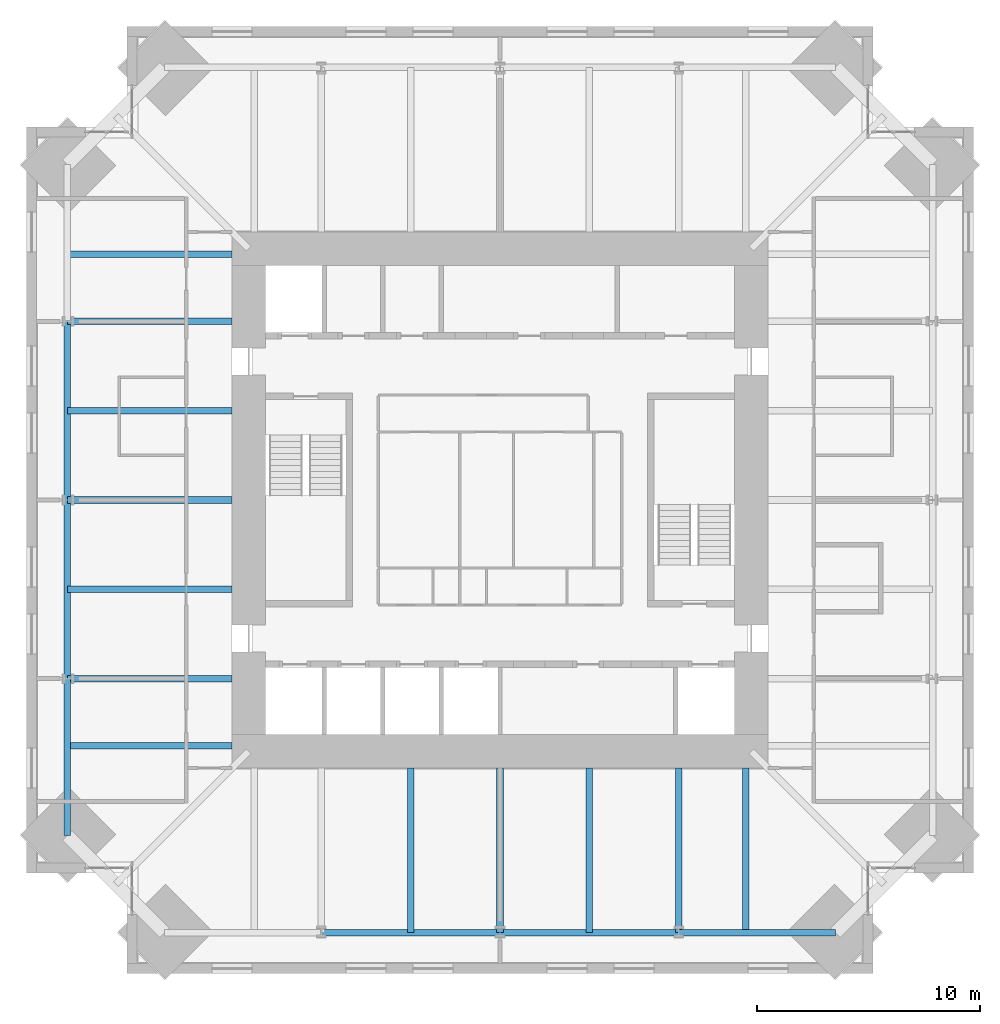
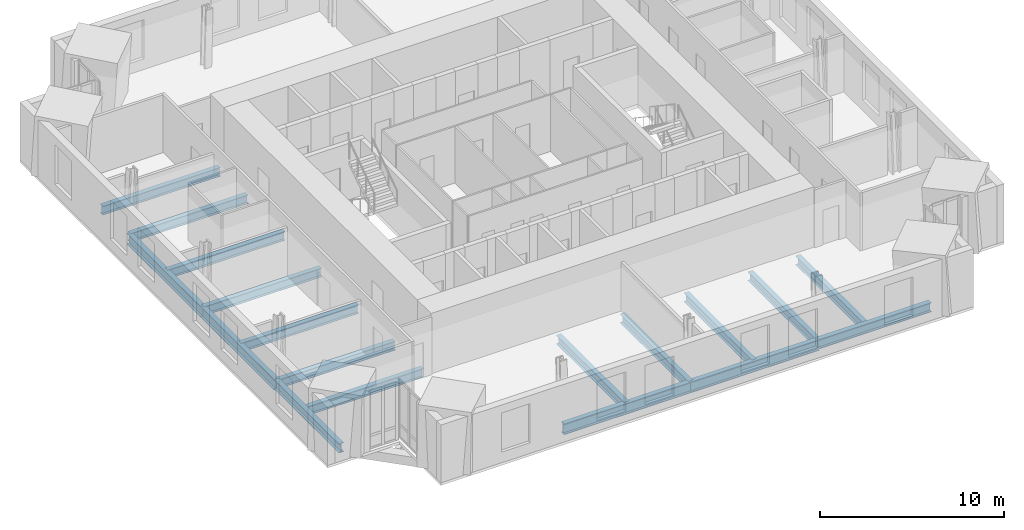
# One storey, part 3 of 15: 18 beams.
"""IFC4 building model written with IfcOpenShell, lengths in metres."""

import ifcopenshell
import ifcopenshell.guid

model = None  # the IFC model being written
_history = None  # IfcOwnerHistory: only IFC2X3 demands one
_inside = {}  # id of a spatial element -> (the spatial element, [elements in it])
_under = {}  # id of a project, library or spatial element -> (it, [spatial elements below it])
_declared = {}  # id of a project -> (the project, [libraries it declares])
_typed = {}  # id of a type object -> (the type object, [elements of that type])
_made_of = {}  # id of a material, layer set ... -> (it, [elements and type objects made of it])


def new_model(schema):
    """Start an empty IFC model of exactly this schema.

    Asked for "IFC4X3", IfcOpenShell would pick the latest addendum, in which some entities
    have other attributes; the version numbers below select the first issue.
    IFC2X3 requires an IfcOwnerHistory on every rooted entity: one is made here for all.
    """
    global model, _history
    if schema == "IFC4X3":
        model = ifcopenshell.file(schema_version=(4, 3, 0, 0))
    else:
        model = ifcopenshell.file(schema=schema)
    _inside.clear()
    _under.clear()
    _declared.clear()
    _typed.clear()
    _made_of.clear()
    _history = None
    if model.schema == "IFC2X3":
        org = make("IfcOrganization", Name="unknown")
        user = make(
            "IfcPersonAndOrganization",
            ThePerson=make("IfcPerson", FamilyName="unknown"),
            TheOrganization=org,
        )
        app = make(
            "IfcApplication",
            ApplicationDeveloper=org,
            Version="unknown",
            ApplicationFullName="unknown",
            ApplicationIdentifier="unknown",
        )
        _history = make(
            "IfcOwnerHistory",
            OwningUser=user,
            OwningApplication=app,
            ChangeAction="ADDED",
            CreationDate=0,
        )
    return model


def make(cls, **values):
    """One entity of the class cls with the attributes given. An attribute that is None is left unset."""
    return model.create_entity(
        cls, **{name: value for name, value in values.items() if value is not None}
    )


def rooted(cls, **values):
    """An entity with a GlobalId (a new one), such as an element, a storey or a relation."""
    return make(cls, GlobalId=ifcopenshell.guid.new(), OwnerHistory=_history, **values)


def si_unit(unit_type, name, prefix=None):
    """IfcSIUnit, for example si_unit("LENGTHUNIT", "METRE", prefix="MILLI")."""
    return make("IfcSIUnit", UnitType=unit_type, Prefix=prefix, Name=name)


def assignment(units):
    """IfcUnitAssignment: the units of a project."""
    return None if units is None else make("IfcUnitAssignment", Units=units)


def point(xyz):
    """IfcCartesianPoint."""
    return None if xyz is None else make("IfcCartesianPoint", Coordinates=xyz)


def direction(xyz):
    """IfcDirection."""
    return None if xyz is None else make("IfcDirection", DirectionRatios=xyz)


def frame(location, z_axis=None, x_axis=None):
    """IfcAxis2Placement3D, a coordinate frame: its origin and axes. An axis left out is left unset."""
    return make(
        "IfcAxis2Placement3D",
        Location=point(location),
        Axis=direction(z_axis),
        RefDirection=direction(x_axis),
    )


def frame_2d(location, x_axis=None):
    """IfcAxis2Placement2D, a coordinate frame in the plane: its origin and x axis."""
    return make(
        "IfcAxis2Placement2D", Location=point(location), RefDirection=direction(x_axis)
    )


def origin():
    """The frame at (0, 0, 0) with its axes left unset."""
    return frame((0.0, 0.0, 0.0))


def origin_2d():
    """The frame at (0, 0) in the plane with its x axis left unset."""
    return frame_2d((0.0, 0.0))


def place(relative_to, where):
    """IfcLocalPlacement: puts the frame where relative to a parent placement (None: the world)."""
    return make(
        "IfcLocalPlacement", PlacementRelTo=relative_to, RelativePlacement=where
    )


def context(
    kind, dimensions, precision=None, world=None, true_north=None, identifier=None
):
    """IfcGeometricRepresentationContext, for example the 3D "Model" context."""
    return make(
        "IfcGeometricRepresentationContext",
        ContextIdentifier=identifier,
        ContextType=kind,
        CoordinateSpaceDimension=dimensions,
        Precision=precision,
        WorldCoordinateSystem=world,
        TrueNorth=true_north,
    )


def subcontext(parent, identifier, kind, view, scale=None):
    """IfcGeometricRepresentationSubContext, for example "Body" below "Model"."""
    return make(
        "IfcGeometricRepresentationSubContext",
        ContextIdentifier=identifier,
        ContextType=kind,
        ParentContext=parent,
        TargetScale=scale,
        TargetView=view,
    )


def project(units=None, contexts=None):
    """IfcProject with its units and contexts."""
    return rooted(
        "IfcProject",
        Name="project",
        RepresentationContexts=contexts,
        UnitsInContext=assignment(units),
    )


def spatial(cls, under=None, at=None, **own):
    """A site, building, storey or space (cls), placed at a placement, below another one or the project."""
    s = rooted(cls, ObjectPlacement=at, **own)
    if under is not None:
        _under.setdefault(under.id(), (under, []))[1].append(s)
    return s


def profile(cls, at=None, kind="AREA", **sizes):
    """A parametric profile (cls). Its sizes go by their IFC names, for example OverallWidth=200.0."""
    return make(cls, ProfileType=kind, Position=at, **sizes)


def i_section(**sizes):
    """IfcIShapeProfileDef."""
    return profile("IfcIShapeProfileDef", **sizes)


def extrude(swept, where, along, depth):
    """IfcExtrudedAreaSolid: the profile swept, set in the frame where, extruded along a direction by depth."""
    return make(
        "IfcExtrudedAreaSolid",
        SweptArea=swept,
        Position=where,
        ExtrudedDirection=direction(along),
        Depth=depth,
    )


def shape(context_of_items, identifier, shape_type, items):
    """IfcShapeRepresentation: the items that make up one representation, for example the "Body"."""
    return make(
        "IfcShapeRepresentation",
        ContextOfItems=context_of_items,
        RepresentationIdentifier=identifier,
        RepresentationType=shape_type,
        Items=items,
    )


def material(Name=None, Category=None):
    """IfcMaterial."""
    return make("IfcMaterial", Name=Name, Category=Category)


def material_profile(
    of_material, cross_section, Name=None, Category=None, Priority=None
):
    """IfcMaterialProfile: a cross section and its material."""
    return make(
        "IfcMaterialProfile",
        Name=Name,
        Material=of_material,
        Profile=cross_section,
        Priority=Priority,
        Category=Category,
    )


def profile_set(profiles, Name=None, composite=None):
    """IfcMaterialProfileSet."""
    return make(
        "IfcMaterialProfileSet",
        Name=Name,
        MaterialProfiles=profiles,
        CompositeProfile=composite,
    )


def made_of(thing, what):
    """Note that an element or type object is made of a material, layer set ...; save() writes the relation."""
    if what is not None:
        _made_of.setdefault(what.id(), (what, []))[1].append(thing)
    return thing


def type_object(cls, material=None, **own):
    """A type object (cls), such as IfcWallType, which elements share."""
    return made_of(rooted(cls, **own), material)


def element(
    cls,
    number,
    at=None,
    inside=None,
    cuts=None,
    type_object=None,
    material=None,
    context=None,
    identifier="Body",
    shape_type=None,
    held_by="IfcProductDefinitionShape",
    body=None,
    shapes=None,
    **own,
):
    """One element of the class cls, such as IfcWall. Its Tag is "e" and its number.

    at: its placement. inside: the storey or other place that contains it. cuts: it is an
    opening in that element (IfcRelVoidsElement). A single representation is given by context,
    identifier, shape_type and body (its items); several are given by shapes. held_by: the class
    of the entity that holds the representations. save() writes the other relations.
    """
    e = rooted(cls, Tag="e%d" % number, ObjectPlacement=at, **own)
    if body is not None:
        shapes = [shape(context, identifier, shape_type, body)]
    if shapes is not None:
        e.Representation = make(held_by, Representations=shapes)
    if inside is not None:
        _inside.setdefault(inside.id(), (inside, []))[1].append(e)
    if cuts is not None:
        rooted(
            "IfcRelVoidsElement", RelatingBuildingElement=cuts, RelatedOpeningElement=e
        )
    if type_object is not None:
        _typed.setdefault(type_object.id(), (type_object, []))[1].append(e)
    return made_of(e, material)


def aggregate(whole, parts):
    """IfcRelAggregates: a whole, such as a stair, and the parts it consists of."""
    return rooted("IfcRelAggregates", RelatingObject=whole, RelatedObjects=parts)


def save(model, path):
    """Write the relations noted so far, then the file.

    IfcRelAggregates (storeys below a building ...), IfcRelContainedInSpatialStructure (elements
    in a storey), IfcRelDefinesByType, IfcRelAssociatesMaterial and IfcRelDeclares: one each for
    every whole, place, type object, material and project.
    """
    for whole, parts in _under.values():
        aggregate(whole, parts)
    for where, things in _inside.values():
        rooted(
            "IfcRelContainedInSpatialStructure",
            RelatedElements=things,
            RelatingStructure=where,
        )
    for kind, things in _typed.values():
        rooted("IfcRelDefinesByType", RelatedObjects=things, RelatingType=kind)
    for what, things in _made_of.values():
        rooted("IfcRelAssociatesMaterial", RelatedObjects=things, RelatingMaterial=what)
    for by, libraries in _declared.values():
        rooted("IfcRelDeclares", RelatingContext=by, RelatedDefinitions=libraries)
    model.write(path)


model = new_model("IFC4")

# Units and contexts
model_context = context("Model", 3, precision=1e-05, world=origin(), true_north=direction((0.0, 1.0)))
body_context = subcontext(model_context, "Body", "Model", "MODEL_VIEW")
ifc_project = project(units=[si_unit("LENGTHUNIT", "METRE"), si_unit("AREAUNIT", "SQUARE_METRE"), si_unit("VOLUMEUNIT", "CUBIC_METRE"), si_unit("PLANEANGLEUNIT", "RADIAN"), si_unit("MASSUNIT", "GRAM", prefix="KILO")], contexts=[model_context])

# Site, building, storey
site_placement = place(None, origin())
site = spatial("IfcSite", under=ifc_project, at=site_placement, CompositionType="ELEMENT")
building_placement = place(site_placement, origin())
building = spatial("IfcBuilding", under=site, at=building_placement, Name="Peilmerk Tower", CompositionType="ELEMENT")
storey_placement = place(building_placement, frame((0.0, 0.0, 285.800048828125)))
storey = spatial("IfcBuildingStorey", under=building, at=storey_placement, Name="L64", CompositionType="ELEMENT", Elevation=285.800048828125)

# Beams
ifc_material = material(Name="Steel S355", Category="steel")
ifc_material_profile_1 = material_profile(ifc_material, i_section(OverallWidth=0.300048828125, OverallDepth=0.590087890625, WebThickness=0.012939453125, FlangeThickness=0.02490234375, at=origin_2d()), Name="HEA 600")
ifc_profile_set_1 = profile_set([ifc_material_profile_1], Name="Steel S355")
beam_type_1 = type_object("IfcBeamType", Name="B27 HEA 600 floor beam", PredefinedType="BEAM", material=ifc_profile_set_1)
for number, where, z_axis, x_axis, name in (
    (1, (-4.0, -12.0, -0.465087890625), (0.0, -1.0, 0.0), (1.0, 0.0, 0.0), "Floor beam L64"),
    (2, (0.0, -12.0, -0.465087890625), (0.0, -1.0, 0.0), (1.0, 0.0, 0.0), "Floor beam L64"),
    (3, (4.0, -12.0, -0.465087890625), (0.0, -1.0, 0.0), (1.0, 0.0, 0.0), "Floor beam L64"),
    (4, (8.0, -12.0, -0.465087890625), (0.0, -1.0, 0.0), (1.0, 0.0, 0.0), "Floor beam L64"),
    (5, (11.0, -12.0, -0.465087890625), (0.0, -1.0, 0.0), (1.0, 0.0, 0.0), "Floor beam L64"),
    (6, (-12.0, 11.0, -0.465087890625), (-1.0, 0.0, 0.0), (0.0, -1.0, 0.0), "Floor beam L64"),
    (7, (-12.0, 8.0, -0.465087890625), (-1.0, 0.0, 0.0), (0.0, -1.0, 0.0), "Floor beam L64"),
    (8, (-12.0, 4.0, -0.465087890625), (-1.0, 0.0, 0.0), (0.0, -1.0, 0.0), "Floor beam L64"),
    (9, (-12.0, 0.0, -0.465087890625), (-1.0, 0.0, 0.0), (0.0, -1.0, 0.0), "Floor beam L64"),
    (10, (-12.0, -4.0, -0.465087890625), (-1.0, 0.0, 0.0), (0.0, -1.0, 0.0), "Floor beam L64"),
    (11, (-12.0, -8.0, -0.465087890625), (-1.0, 0.0, 0.0), (0.0, -1.0, 0.0), "Floor beam L64"),
    (12, (-12.0, -11.0, -0.465087890625), (-1.0, 0.0, 0.0), (0.0, -1.0, 0.0), "Floor beam L64"),
):
    element("IfcBeam", number, at=place(storey_placement, frame(where, z_axis=z_axis, x_axis=x_axis)), inside=storey, type_object=beam_type_1, Name=name, PredefinedType="BEAM", context=body_context, shape_type="SweptSolid", body=[
        extrude(i_section(OverallWidth=0.300048828125, OverallDepth=0.590087890625, WebThickness=0.012939453125, FlangeThickness=0.02490234375, at=origin_2d()), origin(), (0.0, 0.0, 1.0), 7.37255859375),
    ])
ifc_material_profile_2 = material_profile(ifc_material, i_section(OverallWidth=0.303955078125, OverallDepth=0.716064453125, WebThickness=0.02099609375, FlangeThickness=0.0400390625, at=origin_2d()), Name="HEM 700")
ifc_profile_set_2 = profile_set([ifc_material_profile_2], Name="Steel S355")
beam_type_2 = type_object("IfcBeamType", Name="B30 HEM 700 edge beam", PredefinedType="SPANDREL", material=ifc_profile_set_2)
for number, where, z_axis, x_axis, name in (
    (13, (-8.0, -19.37255859375, -0.528076171875), (1.0, 0.0, 0.0), (0.0, 1.0, 0.0), "Edge beam L64"),
    (14, (0.0, -19.37255859375, -0.528076171875), (1.0, 0.0, 0.0), (0.0, 1.0, 0.0), "Edge beam L64"),
    (15, (-19.37255859375, 8.0, -0.528076171875), (0.0, -1.0, 0.0), (1.0, 0.0, 0.0), "Edge beam L64"),
    (16, (-19.37255859375, 0.0, -0.528076171875), (0.0, -1.0, 0.0), (1.0, 0.0, 0.0), "Edge beam L64"),
):
    element("IfcBeam", number, at=place(storey_placement, frame(where, z_axis=z_axis, x_axis=x_axis)), inside=storey, type_object=beam_type_2, Name=name, PredefinedType="SPANDREL", context=body_context, shape_type="SweptSolid", body=[
        extrude(i_section(OverallWidth=0.303955078125, OverallDepth=0.716064453125, WebThickness=0.02099609375, FlangeThickness=0.0400390625, at=origin_2d()), origin(), (0.0, 0.0, 1.0), 8.0),
    ])
ifc_material_profile_3 = material_profile(ifc_material, i_section(OverallWidth=0.304931640625, OverallDepth=0.6201171875, WebThickness=0.02099609375, FlangeThickness=0.0400390625, at=origin_2d()), Name="HEM 600")
ifc_profile_set_3 = profile_set([ifc_material_profile_3], Name="Steel S355")
beam_type_3 = type_object("IfcBeamType", Name="B31 HEM 600 edge beam", PredefinedType="SPANDREL", material=ifc_profile_set_3)
for number, where, z_axis, x_axis, name in (
    (17, (8.0, -19.37255859375, -0.47998046875), (1.0, 0.0, 0.0), (0.0, 1.0, 0.0), "Edge beam L64"),
    (18, (-19.37255859375, -8.0, -0.47998046875), (0.0, -1.0, 0.0), (1.0, 0.0, 0.0), "Edge beam L64"),
):
    element("IfcBeam", number, at=place(storey_placement, frame(where, z_axis=z_axis, x_axis=x_axis)), inside=storey, type_object=beam_type_3, Name=name, PredefinedType="SPANDREL", context=body_context, shape_type="SweptSolid", body=[
        extrude(i_section(OverallWidth=0.304931640625, OverallDepth=0.6201171875, WebThickness=0.02099609375, FlangeThickness=0.0400390625, at=origin_2d()), origin(), (0.0, 0.0, 1.0), 7.0224609375),
    ])

save(model, "model.ifc")
